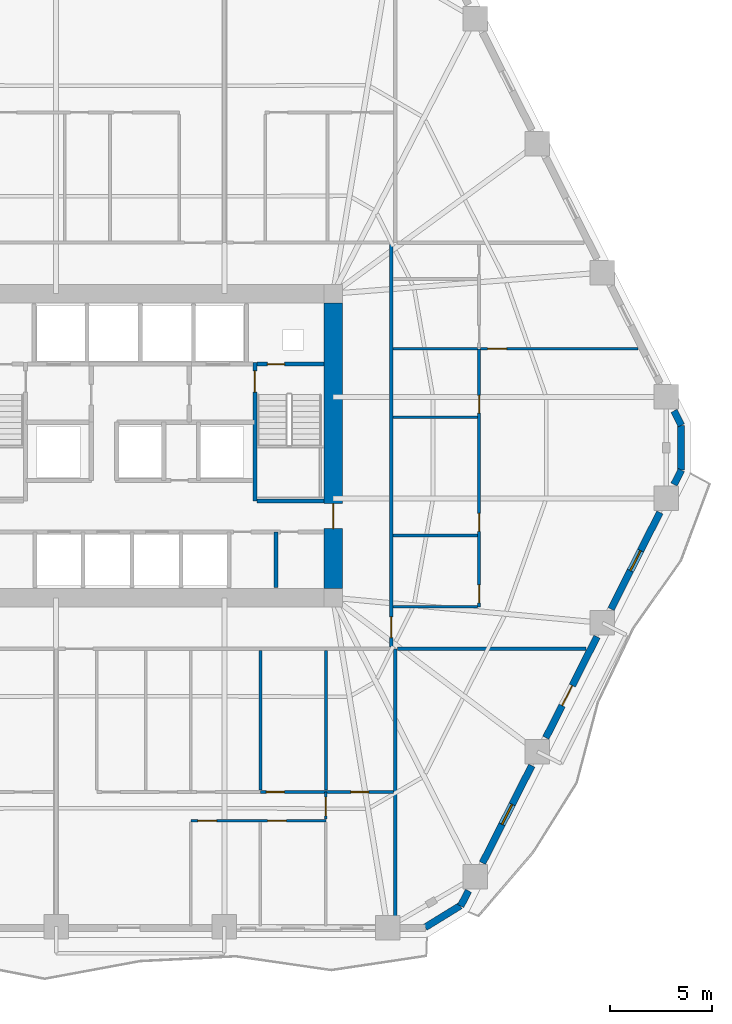
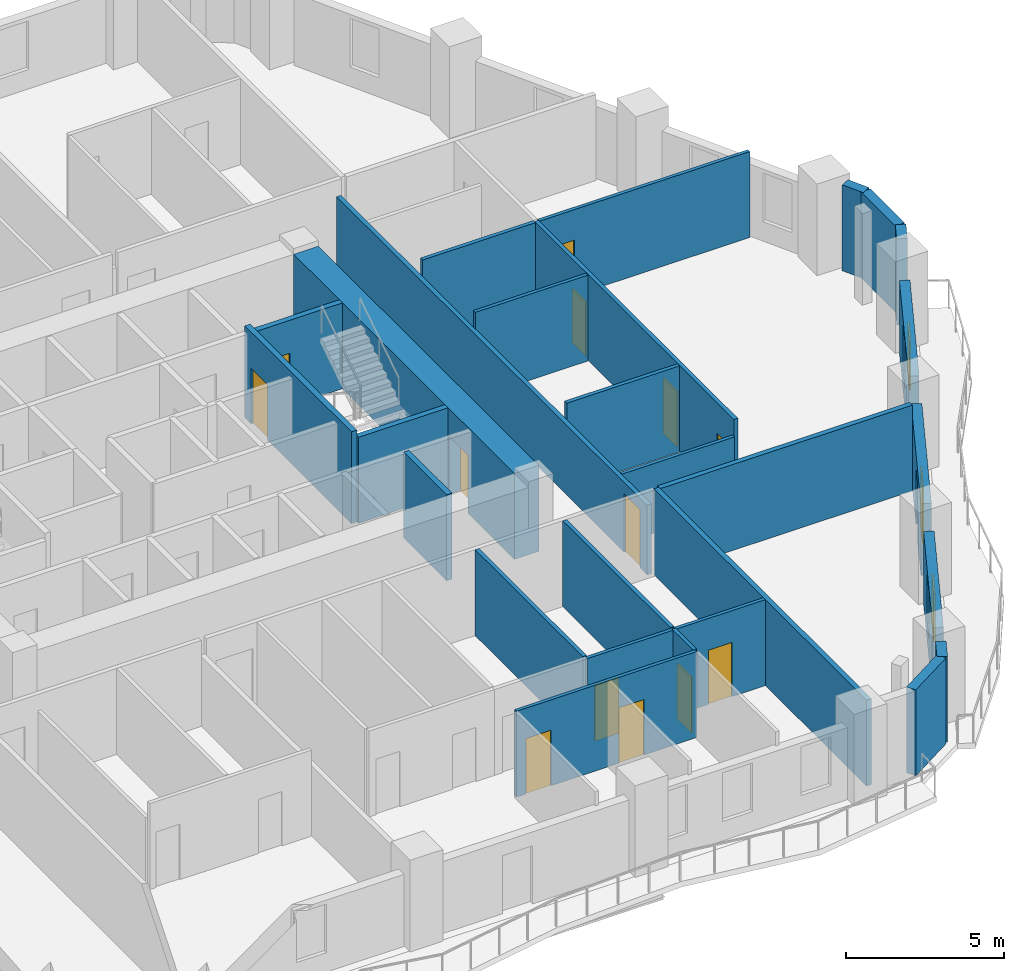
# One storey, part 6 of 12: 27 walls, 14 doors, 2 windows, 16 openings.
"""IFC4 building model written with IfcOpenShell, lengths in metres."""

import ifcopenshell
import ifcopenshell.guid

model = None  # the IFC model being written
_history = None  # IfcOwnerHistory: only IFC2X3 demands one
_inside = {}  # id of a spatial element -> (the spatial element, [elements in it])
_under = {}  # id of a project, library or spatial element -> (it, [spatial elements below it])
_declared = {}  # id of a project -> (the project, [libraries it declares])
_typed = {}  # id of a type object -> (the type object, [elements of that type])
_made_of = {}  # id of a material, layer set ... -> (it, [elements and type objects made of it])


def new_model(schema):
    """Start an empty IFC model of exactly this schema.

    Asked for "IFC4X3", IfcOpenShell would pick the latest addendum, in which some entities
    have other attributes; the version numbers below select the first issue.
    IFC2X3 requires an IfcOwnerHistory on every rooted entity: one is made here for all.
    """
    global model, _history
    if schema == "IFC4X3":
        model = ifcopenshell.file(schema_version=(4, 3, 0, 0))
    else:
        model = ifcopenshell.file(schema=schema)
    _inside.clear()
    _under.clear()
    _declared.clear()
    _typed.clear()
    _made_of.clear()
    _history = None
    if model.schema == "IFC2X3":
        org = make("IfcOrganization", Name="unknown")
        user = make(
            "IfcPersonAndOrganization",
            ThePerson=make("IfcPerson", FamilyName="unknown"),
            TheOrganization=org,
        )
        app = make(
            "IfcApplication",
            ApplicationDeveloper=org,
            Version="unknown",
            ApplicationFullName="unknown",
            ApplicationIdentifier="unknown",
        )
        _history = make(
            "IfcOwnerHistory",
            OwningUser=user,
            OwningApplication=app,
            ChangeAction="ADDED",
            CreationDate=0,
        )
    return model


def make(cls, **values):
    """One entity of the class cls with the attributes given. An attribute that is None is left unset."""
    return model.create_entity(
        cls, **{name: value for name, value in values.items() if value is not None}
    )


def rooted(cls, **values):
    """An entity with a GlobalId (a new one), such as an element, a storey or a relation."""
    return make(cls, GlobalId=ifcopenshell.guid.new(), OwnerHistory=_history, **values)


def si_unit(unit_type, name, prefix=None):
    """IfcSIUnit, for example si_unit("LENGTHUNIT", "METRE", prefix="MILLI")."""
    return make("IfcSIUnit", UnitType=unit_type, Prefix=prefix, Name=name)


def assignment(units):
    """IfcUnitAssignment: the units of a project."""
    return None if units is None else make("IfcUnitAssignment", Units=units)


def point(xyz):
    """IfcCartesianPoint."""
    return None if xyz is None else make("IfcCartesianPoint", Coordinates=xyz)


def direction(xyz):
    """IfcDirection."""
    return None if xyz is None else make("IfcDirection", DirectionRatios=xyz)


def frame(location, z_axis=None, x_axis=None):
    """IfcAxis2Placement3D, a coordinate frame: its origin and axes. An axis left out is left unset."""
    return make(
        "IfcAxis2Placement3D",
        Location=point(location),
        Axis=direction(z_axis),
        RefDirection=direction(x_axis),
    )


def frame_2d(location, x_axis=None):
    """IfcAxis2Placement2D, a coordinate frame in the plane: its origin and x axis."""
    return make(
        "IfcAxis2Placement2D", Location=point(location), RefDirection=direction(x_axis)
    )


def origin():
    """The frame at (0, 0, 0) with its axes left unset."""
    return frame((0.0, 0.0, 0.0))


def place(relative_to, where):
    """IfcLocalPlacement: puts the frame where relative to a parent placement (None: the world)."""
    return make(
        "IfcLocalPlacement", PlacementRelTo=relative_to, RelativePlacement=where
    )


def context(
    kind, dimensions, precision=None, world=None, true_north=None, identifier=None
):
    """IfcGeometricRepresentationContext, for example the 3D "Model" context."""
    return make(
        "IfcGeometricRepresentationContext",
        ContextIdentifier=identifier,
        ContextType=kind,
        CoordinateSpaceDimension=dimensions,
        Precision=precision,
        WorldCoordinateSystem=world,
        TrueNorth=true_north,
    )


def subcontext(parent, identifier, kind, view, scale=None):
    """IfcGeometricRepresentationSubContext, for example "Body" below "Model"."""
    return make(
        "IfcGeometricRepresentationSubContext",
        ContextIdentifier=identifier,
        ContextType=kind,
        ParentContext=parent,
        TargetScale=scale,
        TargetView=view,
    )


def project(units=None, contexts=None):
    """IfcProject with its units and contexts."""
    return rooted(
        "IfcProject",
        Name="project",
        RepresentationContexts=contexts,
        UnitsInContext=assignment(units),
    )


def spatial(cls, under=None, at=None, **own):
    """A site, building, storey or space (cls), placed at a placement, below another one or the project."""
    s = rooted(cls, ObjectPlacement=at, **own)
    if under is not None:
        _under.setdefault(under.id(), (under, []))[1].append(s)
    return s


def profile(cls, at=None, kind="AREA", **sizes):
    """A parametric profile (cls). Its sizes go by their IFC names, for example OverallWidth=200.0."""
    return make(cls, ProfileType=kind, Position=at, **sizes)


def rectangle(**sizes):
    """IfcRectangleProfileDef."""
    return profile("IfcRectangleProfileDef", **sizes)


def extrude(swept, where, along, depth):
    """IfcExtrudedAreaSolid: the profile swept, set in the frame where, extruded along a direction by depth."""
    return make(
        "IfcExtrudedAreaSolid",
        SweptArea=swept,
        Position=where,
        ExtrudedDirection=direction(along),
        Depth=depth,
    )


def shape(context_of_items, identifier, shape_type, items):
    """IfcShapeRepresentation: the items that make up one representation, for example the "Body"."""
    return make(
        "IfcShapeRepresentation",
        ContextOfItems=context_of_items,
        RepresentationIdentifier=identifier,
        RepresentationType=shape_type,
        Items=items,
    )


def material(Name=None, Category=None):
    """IfcMaterial."""
    return make("IfcMaterial", Name=Name, Category=Category)


def layer(
    of_material, thickness, ventilated=None, Name=None, Category=None, Priority=None
):
    """IfcMaterialLayer: one layer of a wall or slab, of a material (None: an air gap)."""
    return make(
        "IfcMaterialLayer",
        Material=of_material,
        LayerThickness=thickness,
        IsVentilated=ventilated,
        Name=Name,
        Category=Category,
        Priority=Priority,
    )


def layer_set(layers, Name=None):
    """IfcMaterialLayerSet."""
    return make("IfcMaterialLayerSet", MaterialLayers=layers, LayerSetName=Name)


def made_of(thing, what):
    """Note that an element or type object is made of a material, layer set ...; save() writes the relation."""
    if what is not None:
        _made_of.setdefault(what.id(), (what, []))[1].append(thing)
    return thing


def type_object(cls, material=None, **own):
    """A type object (cls), such as IfcWallType, which elements share."""
    return made_of(rooted(cls, **own), material)


def element(
    cls,
    number,
    at=None,
    inside=None,
    cuts=None,
    type_object=None,
    material=None,
    context=None,
    identifier="Body",
    shape_type=None,
    held_by="IfcProductDefinitionShape",
    body=None,
    shapes=None,
    **own,
):
    """One element of the class cls, such as IfcWall. Its Tag is "e" and its number.

    at: its placement. inside: the storey or other place that contains it. cuts: it is an
    opening in that element (IfcRelVoidsElement). A single representation is given by context,
    identifier, shape_type and body (its items); several are given by shapes. held_by: the class
    of the entity that holds the representations. save() writes the other relations.
    """
    e = rooted(cls, Tag="e%d" % number, ObjectPlacement=at, **own)
    if body is not None:
        shapes = [shape(context, identifier, shape_type, body)]
    if shapes is not None:
        e.Representation = make(held_by, Representations=shapes)
    if inside is not None:
        _inside.setdefault(inside.id(), (inside, []))[1].append(e)
    if cuts is not None:
        rooted(
            "IfcRelVoidsElement", RelatingBuildingElement=cuts, RelatedOpeningElement=e
        )
    if type_object is not None:
        _typed.setdefault(type_object.id(), (type_object, []))[1].append(e)
    return made_of(e, material)


def fill(opening, filler):
    """IfcRelFillsElement: the door or window that sits in an opening."""
    return rooted(
        "IfcRelFillsElement",
        RelatingOpeningElement=opening,
        RelatedBuildingElement=filler,
    )


def aggregate(whole, parts):
    """IfcRelAggregates: a whole, such as a stair, and the parts it consists of."""
    return rooted("IfcRelAggregates", RelatingObject=whole, RelatedObjects=parts)


def save(model, path):
    """Write the relations noted so far, then the file.

    IfcRelAggregates (storeys below a building ...), IfcRelContainedInSpatialStructure (elements
    in a storey), IfcRelDefinesByType, IfcRelAssociatesMaterial and IfcRelDeclares: one each for
    every whole, place, type object, material and project.
    """
    for whole, parts in _under.values():
        aggregate(whole, parts)
    for where, things in _inside.values():
        rooted(
            "IfcRelContainedInSpatialStructure",
            RelatedElements=things,
            RelatingStructure=where,
        )
    for kind, things in _typed.values():
        rooted("IfcRelDefinesByType", RelatedObjects=things, RelatingType=kind)
    for what, things in _made_of.values():
        rooted("IfcRelAssociatesMaterial", RelatedObjects=things, RelatingMaterial=what)
    for by, libraries in _declared.values():
        rooted("IfcRelDeclares", RelatingContext=by, RelatedDefinitions=libraries)
    model.write(path)


model = new_model("IFC4")

# Units and contexts
model_context = context("Model", 3, precision=1e-05, world=origin(), true_north=direction((0.0, 1.0)))
body_context = subcontext(model_context, "Body", "Model", "MODEL_VIEW")
ifc_project = project(units=[si_unit("LENGTHUNIT", "METRE"), si_unit("AREAUNIT", "SQUARE_METRE"), si_unit("VOLUMEUNIT", "CUBIC_METRE"), si_unit("PLANEANGLEUNIT", "RADIAN"), si_unit("MASSUNIT", "GRAM", prefix="KILO")], contexts=[model_context])

# Site, building, storey
site_placement = place(None, origin())
site = spatial("IfcSite", under=ifc_project, at=site_placement, CompositionType="ELEMENT")
building_placement = place(site_placement, origin())
building = spatial("IfcBuilding", under=site, at=building_placement, Name="Cinnabar Lancet Tower", CompositionType="ELEMENT")
storey_placement = place(building_placement, frame((0.0, 0.0, 28.449951171875)))
storey = spatial("IfcBuildingStorey", under=building, at=storey_placement, Name="L06", CompositionType="ELEMENT", Elevation=28.449951171875)

# Wall, opening, door
ifc_material_1 = material(Name="Acoustic twin-stud gypsum partition", Category="gypsum")
ifc_layer_1 = layer(ifc_material_1, 0.159912109375)
ifc_layer_set_1 = layer_set([ifc_layer_1], Name="Acoustic twin-stud gypsum partition")
wall_type_1 = type_object("IfcWallType", Name="ARC-WL-CORR-160", PredefinedType="PARTITIONING", material=ifc_layer_set_1)
wall_1_placement = place(storey_placement, frame((44.699951171875, 16.044921875, 0.0), z_axis=(0.0, 0.0, 1.0), x_axis=(0.0, 1.0, 0.0)))
wall_1 = element("IfcWall", 1, at=wall_1_placement, inside=storey, type_object=wall_type_1, Name="UW-L06-E01-COR", PredefinedType="PARTITIONING", context=body_context, shape_type="SweptSolid", body=[
    extrude(rectangle(XDim=19.7099609375, YDim=0.159912109375, at=frame_2d((9.85498046875, 0.0))), origin(), (0.0, 0.0, 1.0), 2.699951171875),
])
opening_1_placement = place(wall_1_placement, frame((0.449951171875, 0.0, 0.0)))
opening_1 = element("IfcOpeningElement", 2, at=opening_1_placement, cuts=wall_1, Name="Opening UD-01", PredefinedType="OPENING", context=body_context, shape_type="SweptSolid", body=[
    extrude(rectangle(XDim=1.02001953125, YDim=2.25, at=frame_2d((0.510009765625, 1.125))), frame((0.0, 0.08984375, 0.0), z_axis=(0.0, -1.0, 0.0), x_axis=(1.0, 0.0, 0.0)), (0.0, 0.0, 1.0), 0.179931640625),
])
ifc_material_2 = material(Name="Solid timber fire-rated apartment entrance door", Category="wood")
door_type_1 = type_object("IfcDoorType", Name="ARC-DR-UNIT", OperationType="NOTDEFINED", PredefinedType="DOOR", material=ifc_material_2)
door_1_placement = place(opening_1_placement, origin())
door_1 = element("IfcDoor", 3, at=door_1_placement, inside=storey, type_object=door_type_1, Name="DR-L06-E01-ENT", OperationType="SINGLE_SWING_LEFT", OverallHeight=2.25, OverallWidth=1.02001953125, PredefinedType="DOOR", context=body_context, shape_type="SweptSolid", body=[
    extrude(rectangle(XDim=1.02001953125, YDim=2.25, at=frame_2d((0.510009765625, 1.125))), frame((0.0, 0.02490234375, 0.0), z_axis=(0.0, -1.0, 0.0), x_axis=(1.0, 0.0, 0.0)), (0.0, 0.0, 1.0), 0.050048828125),
])
fill(opening_1, door_1)

# Walls
ifc_material_3 = material(Name="Fire-rated twin-frame acoustic drywall", Category="gypsum")
ifc_layer_2 = layer(ifc_material_3, 0.179931640625)
ifc_layer_set_2 = layer_set([ifc_layer_2], Name="Fire-rated twin-frame acoustic drywall")
wall_type_2 = type_object("IfcWallType", Name="ARC-WL-PARTY-180", PredefinedType="PARTITIONING", material=ifc_layer_set_2)
wall_2_placement = place(storey_placement, frame((44.89990234375, 2.455078125, 0.0), z_axis=(0.0, 0.0, 1.0), x_axis=(0.0, 1.0, 0.0)))
element("IfcWall", 4, at=wall_2_placement, inside=storey, type_object=wall_type_2, Name="PW-L06-SPTY-449", PredefinedType="PARTITIONING", context=body_context, shape_type="SweptSolid", body=[
    extrude(rectangle(XDim=13.494873046875, YDim=0.179931640625, at=frame_2d((6.74755859375, 0.0))), origin(), (0.0, 0.0, 1.0), 3.330078125),
])
wall_3_placement = place(storey_placement, frame((44.9951171875, 15.949951171875, 0.0), z_axis=(0.0, 0.0, 1.0), x_axis=(1.0, 0.0, 0.0)))
element("IfcWall", 5, at=wall_3_placement, inside=storey, type_object=wall_type_2, Name="PW-L06-ESB", PredefinedType="PARTITIONING", context=body_context, shape_type="SweptSolid", body=[
    extrude(rectangle(XDim=9.240966796875, YDim=0.179931640625, at=frame_2d((4.62060546875, 0.0))), origin(), (0.0, 0.0, 1.0), 3.330078125),
])
ifc_material_4 = material(Name="Autoclaved aerated concrete blockwork", Category="masonry")
ifc_layer_3 = layer(ifc_material_4, 0.199951171875)
ifc_layer_set_3 = layer_set([ifc_layer_3], Name="Autoclaved aerated concrete blockwork")
wall_type_3 = type_object("IfcWallType", Name="ARC-WL-SHAFT-200", PredefinedType="PLUMBINGWALL", material=ifc_layer_set_3)
wall_4_placement = place(storey_placement, frame((38.125, 23.199951171875, 0.0), z_axis=(0.0, 0.0, 1.0), x_axis=(1.0, 0.0, 0.0)))
element("IfcWall", 6, at=wall_4_placement, inside=storey, type_object=wall_type_3, Name="CW-ST2S-L06", PredefinedType="PLUMBINGWALL", context=body_context, shape_type="SweptSolid", body=[
    extrude(rectangle(XDim=3.27001953125, YDim=0.199951171875, at=frame_2d((1.635009765625, 0.0))), origin(), (0.0, 0.0, 1.0), 3.330078125),
])

# Wall, opening, door
wall_5_placement = place(storey_placement, frame((38.125, 29.89990234375, 0.0), z_axis=(0.0, 0.0, 1.0), x_axis=(1.0, 0.0, 0.0)))
wall_5 = element("IfcWall", 7, at=wall_5_placement, inside=storey, type_object=wall_type_3, Name="CW-NSH-E-L06", PredefinedType="PLUMBINGWALL", context=body_context, shape_type="SweptSolid", body=[
    extrude(rectangle(XDim=3.27001953125, YDim=0.199951171875, at=frame_2d((1.635009765625, 0.0))), origin(), (0.0, 0.0, 1.0), 3.330078125),
])
opening_2_placement = place(wall_5_placement, frame((0.5, 0.0, 0.0)))
opening_2 = element("IfcOpeningElement", 8, at=opening_2_placement, cuts=wall_5, Name="Opening PD-02", PredefinedType="OPENING", context=body_context, shape_type="SweptSolid", body=[
    extrude(rectangle(XDim=0.85009765625, YDim=2.050048828125, at=frame_2d((0.425048828125, 1.02490234375))), frame((0.0, 0.10986328125, 0.0), z_axis=(0.0, -1.0, 0.0), x_axis=(1.0, 0.0, 0.0)), (0.0, 0.0, 1.0), 0.219970703125),
])
ifc_material_5 = material(Name="Fire-rated steel riser access door", Category="steel")
door_type_2 = type_object("IfcDoorType", Name="ARC-DR-RISER", OperationType="NOTDEFINED", PredefinedType="DOOR", material=ifc_material_5)
door_2_placement = place(opening_2_placement, origin())
door_2 = element("IfcDoor", 9, at=door_2_placement, inside=storey, type_object=door_type_2, Name="L06 East Riser Access Door", OperationType="SINGLE_SWING_RIGHT", OverallHeight=2.050048828125, OverallWidth=0.85009765625, PredefinedType="DOOR", context=body_context, shape_type="SweptSolid", body=[
    extrude(rectangle(XDim=0.85009765625, YDim=2.050048828125, at=frame_2d((0.425048828125, 1.02490234375))), frame((0.0, 0.02490234375, 0.0), z_axis=(0.0, -1.0, 0.0), x_axis=(1.0, 0.0, 0.0)), (0.0, 0.0, 1.0), 0.050048828125),
])
fill(opening_2, door_2)

# Wall
wall_6_placement = place(storey_placement, frame((39.050048828125, 18.949951171875, 0.0), z_axis=(0.0, 0.0, 1.0), x_axis=(0.0, 1.0, 0.0)))
element("IfcWall", 10, at=wall_6_placement, inside=storey, type_object=wall_type_3, Name="CW-SB-SE-L06", PredefinedType="PLUMBINGWALL", context=body_context, shape_type="SweptSolid", body=[
    extrude(rectangle(XDim=2.72998046875, YDim=0.199951171875, at=frame_2d((1.364990234375, 0.0))), origin(), (0.0, 0.0, 1.0), 3.330078125),
])

# Wall, openings, doors
ifc_material_6 = material(Name="Gypsum plasterboard stud partition", Category="gypsum")
ifc_layer_4 = layer(ifc_material_6, 0.125)
ifc_layer_set_4 = layer_set([ifc_layer_4], Name="Gypsum plasterboard stud partition")
wall_type_4 = type_object("IfcWallType", Name="ARC-WL-UNIT-125", PredefinedType="PARTITIONING", material=ifc_layer_set_4)
wall_7_placement = place(storey_placement, frame((38.284912109375, 8.93310546875, 0.0), z_axis=(0.0, 0.0, 1.0), x_axis=(1.0, 0.0, 0.0)))
wall_7 = element("IfcWall", 11, at=wall_7_placement, inside=storey, type_object=wall_type_4, Name="UW-L06-S02-SP2", PredefinedType="PARTITIONING", context=body_context, shape_type="SweptSolid", body=[
    extrude(rectangle(XDim=6.52001953125, YDim=0.125, at=frame_2d((3.260009765625, 0.0))), origin(), (0.0, 0.0, 1.0), 3.330078125),
])
opening_3_placement = place(wall_7_placement, frame((4.43896484375, 0.0, 0.0)))
opening_3 = element("IfcOpeningElement", 12, at=opening_3_placement, cuts=wall_7, Name="Opening BD-01", PredefinedType="OPENING", context=body_context, shape_type="SweptSolid", body=[
    extrude(rectangle(XDim=0.860107421875, YDim=2.10009765625, at=frame_2d((0.43017578125, 1.050048828125))), frame((0.0, 0.072509765625, 0.0), z_axis=(0.0, -1.0, 0.0), x_axis=(1.0, 0.0, 0.0)), (0.0, 0.0, 1.0), 0.14501953125),
])
opening_4_placement = place(wall_7_placement, frame((0.300048828125, 0.0, 0.0)))
opening_4 = element("IfcOpeningElement", 13, at=opening_4_placement, cuts=wall_7, Name="Opening RD-02", PredefinedType="OPENING", context=body_context, shape_type="SweptSolid", body=[
    extrude(rectangle(XDim=0.8798828125, YDim=2.14990234375, at=frame_2d((0.43994140625, 1.074951171875))), frame((0.0, 0.072509765625, 0.0), z_axis=(0.0, -1.0, 0.0), x_axis=(1.0, 0.0, 0.0)), (0.0, 0.0, 1.0), 0.14501953125),
])
ifc_material_7 = material(Name="Moisture-resistant timber bathroom door", Category="wood")
door_type_3 = type_object("IfcDoorType", Name="ARC-DR-BATH", OperationType="NOTDEFINED", PredefinedType="DOOR", material=ifc_material_7)
door_3_placement = place(opening_3_placement, origin())
door_3 = element("IfcDoor", 14, at=door_3_placement, inside=storey, type_object=door_type_3, Name="DR-L06-S02-ENS", OperationType="SINGLE_SWING_RIGHT", OverallHeight=2.10009765625, OverallWidth=0.860107421875, PredefinedType="DOOR", context=body_context, shape_type="SweptSolid", body=[
    extrude(rectangle(XDim=0.860107421875, YDim=2.10009765625, at=frame_2d((0.43017578125, 1.050048828125))), frame((0.0, 0.02490234375, 0.0), z_axis=(0.0, -1.0, 0.0), x_axis=(1.0, 0.0, 0.0)), (0.0, 0.0, 1.0), 0.050048828125),
])
fill(opening_3, door_3)
ifc_material_8 = material(Name="Engineered timber study door", Category="wood")
door_type_4 = type_object("IfcDoorType", Name="ARC-DR-STUDY", OperationType="NOTDEFINED", PredefinedType="DOOR", material=ifc_material_8)
door_4_placement = place(opening_4_placement, origin())
door_4 = element("IfcDoor", 15, at=door_4_placement, inside=storey, type_object=door_type_4, Name="DR-L06-S02-DRS", OperationType="SINGLE_SWING_LEFT", OverallHeight=2.14990234375, OverallWidth=0.8798828125, PredefinedType="DOOR", context=body_context, shape_type="SweptSolid", body=[
    extrude(rectangle(XDim=0.8798828125, YDim=2.14990234375, at=frame_2d((0.43994140625, 1.074951171875))), frame((0.0, 0.02490234375, 0.0), z_axis=(0.0, -1.0, 0.0), x_axis=(1.0, 0.0, 0.0)), (0.0, 0.0, 1.0), 0.050048828125),
])
fill(opening_4, door_4)

wall_8_placement = place(storey_placement, frame((34.8779296875, 7.532958984375, 0.0), z_axis=(0.0, 0.0, 1.0), x_axis=(1.0, 0.0, 0.0)))
wall_8 = element("IfcWall", 16, at=wall_8_placement, inside=storey, type_object=wall_type_4, Name="UW-L06-S02-HLN", PredefinedType="PARTITIONING", context=body_context, shape_type="SweptSolid", body=[
    extrude(rectangle(XDim=6.614990234375, YDim=0.125, at=frame_2d((3.3076171875, 0.0))), origin(), (0.0, 0.0, 1.0), 3.330078125),
])
opening_5_placement = place(wall_8_placement, frame((0.35009765625, 0.0, 0.0)))
opening_5 = element("IfcOpeningElement", 17, at=opening_5_placement, cuts=wall_8, Name="Opening RD-01", PredefinedType="OPENING", context=body_context, shape_type="SweptSolid", body=[
    extrude(rectangle(XDim=0.919921875, YDim=2.14990234375, at=frame_2d((0.4599609375, 1.074951171875))), frame((0.0, 0.072509765625, 0.0), z_axis=(0.0, -1.0, 0.0), x_axis=(1.0, 0.0, 0.0)), (0.0, 0.0, 1.0), 0.14501953125),
])
opening_6_placement = place(wall_8_placement, frame((3.757080078125, 0.0, 0.0)))
opening_6 = element("IfcOpeningElement", 18, at=opening_6_placement, cuts=wall_8, Name="Opening RD-01", PredefinedType="OPENING", context=body_context, shape_type="SweptSolid", body=[
    extrude(rectangle(XDim=0.919921875, YDim=2.14990234375, at=frame_2d((0.4599609375, 1.074951171875))), frame((0.0, 0.072509765625, 0.0), z_axis=(0.0, -1.0, 0.0), x_axis=(1.0, 0.0, 0.0)), (0.0, 0.0, 1.0), 0.14501953125),
])
ifc_material_9 = material(Name="Engineered timber bedroom door", Category="wood")
door_type_5 = type_object("IfcDoorType", Name="ARC-DR-ROOM", OperationType="NOTDEFINED", PredefinedType="DOOR", material=ifc_material_9)
door_5_placement = place(opening_5_placement, origin())
door_5 = element("IfcDoor", 19, at=door_5_placement, inside=storey, type_object=door_type_5, Name="DR-L06-S02-BD2", OperationType="SINGLE_SWING_RIGHT", OverallHeight=2.14990234375, OverallWidth=0.919921875, PredefinedType="DOOR", context=body_context, shape_type="SweptSolid", body=[
    extrude(rectangle(XDim=0.919921875, YDim=2.14990234375, at=frame_2d((0.4599609375, 1.074951171875))), frame((0.0, 0.02490234375, 0.0), z_axis=(0.0, -1.0, 0.0), x_axis=(1.0, 0.0, 0.0)), (0.0, 0.0, 1.0), 0.050048828125),
])
fill(opening_5, door_5)
door_6_placement = place(opening_6_placement, origin())
door_6 = element("IfcDoor", 20, at=door_6_placement, inside=storey, type_object=door_type_5, Name="DR-L06-S02-BD3", OperationType="SINGLE_SWING_LEFT", OverallHeight=2.14990234375, OverallWidth=0.919921875, PredefinedType="DOOR", context=body_context, shape_type="SweptSolid", body=[
    extrude(rectangle(XDim=0.919921875, YDim=2.14990234375, at=frame_2d((0.4599609375, 1.074951171875))), frame((0.0, 0.02490234375, 0.0), z_axis=(0.0, -1.0, 0.0), x_axis=(1.0, 0.0, 0.0)), (0.0, 0.0, 1.0), 0.050048828125),
])
fill(opening_6, door_6)

# Wall, opening, door
wall_9_placement = place(storey_placement, frame((41.492919921875, 7.60302734375, 0.0), z_axis=(0.0, 0.0, 1.0), x_axis=(0.0, 1.0, 0.0)))
wall_9 = element("IfcWall", 21, at=wall_9_placement, inside=storey, type_object=wall_type_4, Name="UW-L06-S02-MBE", PredefinedType="PARTITIONING", context=body_context, shape_type="SweptSolid", body=[
    extrude(rectangle(XDim=1.330078125, YDim=0.125, at=frame_2d((0.6650390625, 0.0))), origin(), (0.0, 0.0, 1.0), 3.330078125),
])
opening_7_placement = place(wall_9_placement, frame((0.159912109375, 0.0, 0.0)))
opening_7 = element("IfcOpeningElement", 22, at=opening_7_placement, cuts=wall_9, Name="Opening RD-01", PredefinedType="OPENING", context=body_context, shape_type="SweptSolid", body=[
    extrude(rectangle(XDim=0.919921875, YDim=2.14990234375, at=frame_2d((0.4599609375, 1.074951171875))), frame((0.0, 0.072509765625, 0.0), z_axis=(0.0, -1.0, 0.0), x_axis=(1.0, 0.0, 0.0)), (0.0, 0.0, 1.0), 0.14501953125),
])
door_7_placement = place(opening_7_placement, origin())
door_7 = element("IfcDoor", 23, at=door_7_placement, inside=storey, type_object=door_type_5, Name="DR-L06-S02-MBD", OperationType="SINGLE_SWING_RIGHT", OverallHeight=2.14990234375, OverallWidth=0.919921875, PredefinedType="DOOR", context=body_context, shape_type="SweptSolid", body=[
    extrude(rectangle(XDim=0.919921875, YDim=2.14990234375, at=frame_2d((0.4599609375, 1.074951171875))), frame((0.0, 0.02490234375, 0.0), z_axis=(0.0, -1.0, 0.0), x_axis=(1.0, 0.0, 0.0)), (0.0, 0.0, 1.0), 0.050048828125),
])
fill(opening_7, door_7)

# Wall
wall_10_placement = place(storey_placement, frame((44.784912109375, 18.0, 0.0), z_axis=(0.0, 0.0, 1.0), x_axis=(1.0, 0.0, 0.0)))
element("IfcWall", 24, at=wall_10_placement, inside=storey, type_object=wall_type_4, Name="UW-L06-E01-FOYN", PredefinedType="PARTITIONING", context=body_context, shape_type="SweptSolid", body=[
    extrude(rectangle(XDim=4.130126953125, YDim=0.125, at=frame_2d((2.06494140625, 0.0))), origin(), (0.0, 0.0, 1.0), 2.699951171875),
])

# Wall, opening, door
wall_11_placement = place(storey_placement, frame((49.074951171875, 30.64892578125, 0.0), z_axis=(0.0, 0.0, 1.0), x_axis=(1.0, 0.0, 0.0)))
wall_11 = element("IfcWall", 25, at=wall_11_placement, inside=storey, type_object=wall_type_4, Name="UW-L06-E01-MBN", PredefinedType="PARTITIONING", context=body_context, shape_type="SweptSolid", body=[
    extrude(rectangle(XDim=7.70703125, YDim=0.125, at=frame_2d((3.853515625, 0.0))), origin(), (0.0, 0.0, 1.0), 3.330078125),
])
opening_8_placement = place(wall_11_placement, frame((0.35009765625, 0.0, 0.0)))
opening_8 = element("IfcOpeningElement", 26, at=opening_8_placement, cuts=wall_11, Name="Opening RD-01", PredefinedType="OPENING", context=body_context, shape_type="SweptSolid", body=[
    extrude(rectangle(XDim=0.919921875, YDim=2.14990234375, at=frame_2d((0.4599609375, 1.074951171875))), frame((0.0, 0.072509765625, 0.0), z_axis=(0.0, -1.0, 0.0), x_axis=(1.0, 0.0, 0.0)), (0.0, 0.0, 1.0), 0.14501953125),
])
door_8_placement = place(opening_8_placement, origin())
door_8 = element("IfcDoor", 27, at=door_8_placement, inside=storey, type_object=door_type_5, Name="DR-L06-E01-MBD", OperationType="SINGLE_SWING_LEFT", OverallHeight=2.14990234375, OverallWidth=0.919921875, PredefinedType="DOOR", context=body_context, shape_type="SweptSolid", body=[
    extrude(rectangle(XDim=0.919921875, YDim=2.14990234375, at=frame_2d((0.4599609375, 1.074951171875))), frame((0.0, 0.02490234375, 0.0), z_axis=(0.0, -1.0, 0.0), x_axis=(1.0, 0.0, 0.0)), (0.0, 0.0, 1.0), 0.050048828125),
])
fill(opening_8, door_8)

# Walls
wall_12_placement = place(storey_placement, frame((44.784912109375, 27.299072265625, 0.0), z_axis=(0.0, 0.0, 1.0), x_axis=(1.0, 0.0, 0.0)))
element("IfcWall", 28, at=wall_12_placement, inside=storey, type_object=wall_type_4, Name="UW-L06-E01-UDV", PredefinedType="PARTITIONING", context=body_context, shape_type="SweptSolid", body=[
    extrude(rectangle(XDim=4.130126953125, YDim=0.125, at=frame_2d((2.06494140625, 0.0))), origin(), (0.0, 0.0, 1.0), 3.330078125),
])
ifc_material_10 = material(Name="Moisture-resistant cement-board plumbing wall", Category="masonry")
ifc_layer_5 = layer(ifc_material_10, 0.139892578125)
ifc_layer_set_5 = layer_set([ifc_layer_5], Name="Moisture-resistant cement-board plumbing wall")
wall_type_5 = type_object("IfcWallType", Name="ARC-WL-WET-140", PredefinedType="PLUMBINGWALL", material=ifc_layer_set_5)
for number, where, z_axis, x_axis, name in (
    (29, (38.284912109375, 9.0380859375, 0.0), (0.0, 0.0, 1.0), (0.0, 1.0, 0.0), "UW-L06-S02-ENSE"),
    (30, (41.492919921875, 9.0380859375, 0.0), (0.0, 0.0, 1.0), (0.0, 1.0, 0.0), "UW-L06-S02-UT3"),
):
    element("IfcWall", number, at=place(storey_placement, frame(where, z_axis=z_axis, x_axis=x_axis)), inside=storey, type_object=wall_type_5, Name=name, PredefinedType="PLUMBINGWALL", context=body_context, shape_type="SweptSolid", body=[
        extrude(rectangle(XDim=6.826904296875, YDim=0.139892578125, at=frame_2d((3.41357421875, 0.0))), origin(), (0.0, 0.0, 1.0), 3.330078125),
    ])

# Wall, openings, doors
wall_13_placement = place(storey_placement, frame((49.0, 18.0, 0.0), z_axis=(0.0, 0.0, 1.0), x_axis=(0.0, 1.0, 0.0)))
wall_13 = element("IfcWall", 31, at=wall_13_placement, inside=storey, type_object=wall_type_5, Name="UW-L06-E01-SPL", PredefinedType="PLUMBINGWALL", context=body_context, shape_type="SweptSolid", body=[
    extrude(rectangle(XDim=12.64892578125, YDim=0.139892578125, at=frame_2d((6.324462890625, 0.0))), origin(), (0.0, 0.0, 1.0), 3.330078125),
])
opening_9_placement = place(wall_13_placement, frame((0.199951171875, 0.0, 0.0)))
opening_9 = element("IfcOpeningElement", 32, at=opening_9_placement, cuts=wall_13, Name="Opening RD-02", PredefinedType="OPENING", context=body_context, shape_type="SweptSolid", body=[
    extrude(rectangle(XDim=0.8798828125, YDim=2.14990234375, at=frame_2d((0.43994140625, 1.074951171875))), frame((0.0, 0.079833984375, 0.0), z_axis=(0.0, -1.0, 0.0), x_axis=(1.0, 0.0, 0.0)), (0.0, 0.0, 1.0), 0.159912109375),
])
opening_10_placement = place(wall_13_placement, frame((3.699951171875, 0.0, 0.0)))
opening_10 = element("IfcOpeningElement", 33, at=opening_10_placement, cuts=wall_13, Name="Opening RD-02", PredefinedType="OPENING", context=body_context, shape_type="SweptSolid", body=[
    extrude(rectangle(XDim=0.8798828125, YDim=2.14990234375, at=frame_2d((0.43994140625, 1.074951171875))), frame((0.0, 0.079833984375, 0.0), z_axis=(0.0, -1.0, 0.0), x_axis=(1.0, 0.0, 0.0)), (0.0, 0.0, 1.0), 0.159912109375),
])
opening_11_placement = place(wall_13_placement, frame((9.4990234375, 0.0, 0.0)))
opening_11 = element("IfcOpeningElement", 34, at=opening_11_placement, cuts=wall_13, Name="Opening BD-01", PredefinedType="OPENING", context=body_context, shape_type="SweptSolid", body=[
    extrude(rectangle(XDim=0.860107421875, YDim=2.10009765625, at=frame_2d((0.43017578125, 1.050048828125))), frame((0.0, 0.079833984375, 0.0), z_axis=(0.0, -1.0, 0.0), x_axis=(1.0, 0.0, 0.0)), (0.0, 0.0, 1.0), 0.159912109375),
])
door_9_placement = place(opening_11_placement, origin())
door_9 = element("IfcDoor", 35, at=door_9_placement, inside=storey, type_object=door_type_3, Name="DR-L06-E01-BTH", OperationType="SINGLE_SWING_RIGHT", OverallHeight=2.10009765625, OverallWidth=0.860107421875, PredefinedType="DOOR", context=body_context, shape_type="SweptSolid", body=[
    extrude(rectangle(XDim=0.860107421875, YDim=2.10009765625, at=frame_2d((0.43017578125, 1.050048828125))), frame((0.0, 0.02490234375, 0.0), z_axis=(0.0, -1.0, 0.0), x_axis=(1.0, 0.0, 0.0)), (0.0, 0.0, 1.0), 0.050048828125),
])
fill(opening_11, door_9)
door_10_placement = place(opening_9_placement, origin())
door_10 = element("IfcDoor", 36, at=door_10_placement, inside=storey, type_object=door_type_4, Name="DR-L06-E01-KIT", OperationType="SINGLE_SWING_RIGHT", OverallHeight=2.14990234375, OverallWidth=0.8798828125, PredefinedType="DOOR", context=body_context, shape_type="SweptSolid", body=[
    extrude(rectangle(XDim=0.8798828125, YDim=2.14990234375, at=frame_2d((0.43994140625, 1.074951171875))), frame((0.0, 0.02490234375, 0.0), z_axis=(0.0, -1.0, 0.0), x_axis=(1.0, 0.0, 0.0)), (0.0, 0.0, 1.0), 0.050048828125),
])
fill(opening_9, door_10)
door_11_placement = place(opening_10_placement, origin())
door_11 = element("IfcDoor", 37, at=door_11_placement, inside=storey, type_object=door_type_4, Name="DR-L06-E01-UTL", OperationType="SINGLE_SWING_LEFT", OverallHeight=2.14990234375, OverallWidth=0.8798828125, PredefinedType="DOOR", context=body_context, shape_type="SweptSolid", body=[
    extrude(rectangle(XDim=0.8798828125, YDim=2.14990234375, at=frame_2d((0.43994140625, 1.074951171875))), frame((0.0, 0.02490234375, 0.0), z_axis=(0.0, -1.0, 0.0), x_axis=(1.0, 0.0, 0.0)), (0.0, 0.0, 1.0), 0.050048828125),
])
fill(opening_10, door_11)

# Walls
for number, where, z_axis, x_axis, name in (
    (38, (44.784912109375, 30.64892578125, 0.0), (0.0, 0.0, 1.0), (1.0, 0.0, 0.0), "UW-L06-E01-ENSN"),
    (39, (44.784912109375, 21.5, 0.0), (0.0, 0.0, 1.0), (1.0, 0.0, 0.0), "UW-L06-E01-KDV"),
):
    element("IfcWall", number, at=place(storey_placement, frame(where, z_axis=z_axis, x_axis=x_axis)), inside=storey, type_object=wall_type_5, Name=name, PredefinedType="PLUMBINGWALL", context=body_context, shape_type="SweptSolid", body=[
        extrude(rectangle(XDim=4.130126953125, YDim=0.139892578125, at=frame_2d((2.06494140625, 0.0))), origin(), (0.0, 0.0, 1.0), 3.330078125),
    ])
ifc_material_11 = material(Name="Cinnabar red clay brick", Category="masonry")
ifc_layer_6 = layer(ifc_material_11, 0.340087890625)
ifc_layer_set_6 = layer_set([ifc_layer_6], Name="Cinnabar red clay brick")
wall_type_6 = type_object("IfcWallType", Name="ENV-WL-BRK-RED-340", PredefinedType="STANDARD", material=ifc_layer_set_6)
wall_14_placement = place(storey_placement, frame((46.361083984375, 2.304931640625, 0.0), z_axis=(0.0, 0.0, 1.0), x_axis=(0.851816122478, 0.523840904748, 0.0)))
element("IfcWall", 40, at=wall_14_placement, inside=storey, type_object=wall_type_6, Name="L06 Chamfered Corner Brick Pier 2.1", PredefinedType="STANDARD", context=body_context, shape_type="SweptSolid", body=[
    extrude(rectangle(XDim=2.01806640625, YDim=0.340087890625, at=frame_2d((1.009033203125, 0.0))), origin(), (0.0, 0.0, 1.0), 3.330078125),
])
wall_15_placement = place(storey_placement, frame((58.887939453125, 24.714111328125, 0.0), z_axis=(0.0, 0.0, 1.0), x_axis=(0.0, 1.0, 0.0)))
element("IfcWall", 41, at=wall_15_placement, inside=storey, type_object=wall_type_6, Name="L06 Chamfered Corner Brick Pier 3.1", PredefinedType="STANDARD", context=body_context, shape_type="SweptSolid", body=[
    extrude(rectangle(XDim=2.171875, YDim=0.340087890625, at=frame_2d((1.0859375, 0.0))), origin(), (0.0, 0.0, 1.0), 3.330078125),
])
wall_16_placement = place(storey_placement, frame((48.10009765625, 3.345947265625, 0.0), z_axis=(0.0, 0.0, 1.0), x_axis=(0.45187807258, 0.892079709175, 0.0)))
element("IfcWall", 42, at=wall_16_placement, inside=storey, type_object=wall_type_6, Name="L06 Face 2 Masonry Bay Wall 1", PredefinedType="STANDARD", context=body_context, shape_type="SweptSolid", body=[
    extrude(rectangle(XDim=0.83642578125, YDim=0.340087890625, at=frame_2d((0.418212890625, 0.0))), origin(), (0.0, 0.0, 1.0), 3.330078125),
])

# Wall, opening, window
wall_17_placement = place(storey_placement, frame((49.166015625, 5.4541015625, 0.0), z_axis=(0.0, 0.0, 1.0), x_axis=(0.451697561555, 0.892171123095, 0.0)))
wall_17 = element("IfcWall", 43, at=wall_17_placement, inside=storey, type_object=wall_type_6, Name="L06 Face 2 Masonry Bay Wall 2", PredefinedType="STANDARD", context=body_context, shape_type="SweptSolid", body=[
    extrude(rectangle(XDim=5.350830078125, YDim=0.340087890625, at=frame_2d((2.67529296875, 0.0))), origin(), (0.0, 0.0, 1.0), 2.787109375),
])
opening_12_placement = place(wall_17_placement, frame((2.125, 0.0, 0.75)))
opening_12 = element("IfcOpeningElement", 44, at=opening_12_placement, cuts=wall_17, Name="Opening WN-04", PredefinedType="OPENING", context=body_context, shape_type="SweptSolid", body=[
    extrude(rectangle(XDim=1.10009765625, YDim=1.886962890625, at=frame_2d((0.550048828125, 0.943359375))), frame((0.0, 0.179931640625, 0.0), z_axis=(0.0, -1.0, 0.0), x_axis=(1.0, 0.0, 0.0)), (0.0, 0.0, 1.0), 0.360107421875),
])
ifc_material_12 = material(Name="Thermally broken bronze-anodized aluminium tall lancet window", Category="aluminium")
window_type = type_object("IfcWindowType", Name="ENV-WN-LANCET-1100", PartitioningType="SINGLE_PANEL", PredefinedType="WINDOW", material=ifc_material_12)
window_1_placement = place(opening_12_placement, origin())
window_1 = element("IfcWindow", 45, at=window_1_placement, inside=storey, type_object=window_type, Name="L06 Face 2 Gothic Lancet Window 2", OverallHeight=1.886962890625, OverallWidth=1.10009765625, PartitioningType="SINGLE_PANEL", PredefinedType="WINDOW", context=body_context, shape_type="SweptSolid", body=[
    extrude(rectangle(XDim=1.10009765625, YDim=1.886962890625, at=frame_2d((0.550048828125, 0.943359375))), frame((0.0, 0.030029296875, 0.0), z_axis=(0.0, -1.0, 0.0), x_axis=(1.0, 0.0, 0.0)), (0.0, 0.0, 1.0), 0.06005859375),
])
fill(opening_12, window_1)

# Wall, opening, door
wall_18_placement = place(storey_placement, frame((52.27099609375, 11.590087890625, 0.0), z_axis=(0.0, 0.0, 1.0), x_axis=(0.451592100298, 0.892224509273, 0.0)))
wall_18 = element("IfcWall", 46, at=wall_18_placement, inside=storey, type_object=wall_type_6, Name="L06 Face 2 Masonry Bay Wall 3", PredefinedType="STANDARD", context=body_context, shape_type="SweptSolid", body=[
    extrude(rectangle(XDim=5.546875, YDim=0.340087890625, at=frame_2d((2.7734375, 0.0))), origin(), (0.0, 0.0, 1.0), 2.787109375),
])
opening_13_placement = place(wall_18_placement, frame((1.76806640625, 0.0, 0.0)))
opening_13 = element("IfcOpeningElement", 47, at=opening_13_placement, cuts=wall_18, Name="Opening TD-01", PredefinedType="OPENING", context=body_context, shape_type="SweptSolid", body=[
    extrude(rectangle(XDim=1.10009765625, YDim=2.25, at=frame_2d((0.550048828125, 1.125))), frame((0.0, 0.179931640625, 0.0), z_axis=(0.0, -1.0, 0.0), x_axis=(1.0, 0.0, 0.0)), (0.0, 0.0, 1.0), 0.360107421875),
])
ifc_material_13 = material(Name="Thermally broken low-E glazed balcony terrace door", Category="wood")
door_type_6 = type_object("IfcDoorType", Name="ARC-DR-BALC", OperationType="NOTDEFINED", PredefinedType="DOOR", material=ifc_material_13)
door_12_placement = place(opening_13_placement, origin())
door_12 = element("IfcDoor", 48, at=door_12_placement, inside=storey, type_object=door_type_6, Name="L06 Face 2 Glazed Terrace Door", OperationType="SINGLE_SWING_LEFT", OverallHeight=2.25, OverallWidth=1.10009765625, PredefinedType="DOOR", context=body_context, shape_type="SweptSolid", body=[
    extrude(rectangle(XDim=1.10009765625, YDim=2.25, at=frame_2d((0.550048828125, 1.125))), frame((0.0, 0.02490234375, 0.0), z_axis=(0.0, -1.0, 0.0), x_axis=(1.0, 0.0, 0.0)), (0.0, 0.0, 1.0), 0.050048828125),
])
fill(opening_13, door_12)

# Wall, opening, window
wall_19_placement = place(storey_placement, frame((55.465087890625, 17.90087890625, 0.0), z_axis=(0.0, 0.0, 1.0), x_axis=(0.451572088722, 0.892234637686, 0.0)))
wall_19 = element("IfcWall", 49, at=wall_19_placement, inside=storey, type_object=wall_type_6, Name="L06 Face 2 Masonry Bay Wall 4", PredefinedType="STANDARD", context=body_context, shape_type="SweptSolid", body=[
    extrude(rectangle(XDim=5.3037109375, YDim=0.340087890625, at=frame_2d((2.65185546875, 0.0))), origin(), (0.0, 0.0, 1.0), 2.787109375),
])
opening_14_placement = place(wall_19_placement, frame((2.10205078125, 0.0, 0.75)))
opening_14 = element("IfcOpeningElement", 50, at=opening_14_placement, cuts=wall_19, Name="Opening WN-04", PredefinedType="OPENING", context=body_context, shape_type="SweptSolid", body=[
    extrude(rectangle(XDim=1.10009765625, YDim=1.886962890625, at=frame_2d((0.550048828125, 0.943359375))), frame((0.0, 0.179931640625, 0.0), z_axis=(0.0, -1.0, 0.0), x_axis=(1.0, 0.0, 0.0)), (0.0, 0.0, 1.0), 0.360107421875),
])
window_2_placement = place(opening_14_placement, origin())
window_2 = element("IfcWindow", 51, at=window_2_placement, inside=storey, type_object=window_type, Name="L06 Face 2 Gothic Lancet Window 4", OverallHeight=1.886962890625, OverallWidth=1.10009765625, PartitioningType="SINGLE_PANEL", PredefinedType="WINDOW", context=body_context, shape_type="SweptSolid", body=[
    extrude(rectangle(XDim=1.10009765625, YDim=1.886962890625, at=frame_2d((0.550048828125, 0.943359375))), frame((0.0, 0.030029296875, 0.0), z_axis=(0.0, -1.0, 0.0), x_axis=(1.0, 0.0, 0.0)), (0.0, 0.0, 1.0), 0.06005859375),
])
fill(opening_14, window_2)

# Walls
for number, where, z_axis, x_axis, name in (
    (52, (58.548095703125, 23.9951171875, 0.0), (0.0, 0.0, 1.0), (0.452101093511, 0.891966704113, 0.0), "L06 Face 2 Masonry Bay Wall 5"),
    (53, (58.908935546875, 26.89306640625, 0.0), (0.0, 0.0, 1.0), (-0.452101093511, 0.891966704113, 0.0), "L06 Face 3 Masonry Bay Wall 1"),
):
    element("IfcWall", number, at=place(storey_placement, frame(where, z_axis=z_axis, x_axis=x_axis)), inside=storey, type_object=wall_type_6, Name=name, PredefinedType="STANDARD", context=body_context, shape_type="SweptSolid", body=[
        extrude(rectangle(XDim=0.798095703125, YDim=0.340087890625, at=frame_2d((0.39892578125, 0.0))), origin(), (0.0, 0.0, 1.0), 3.330078125),
    ])

# Wall, opening, door
ifc_material_14 = material(Name="Concrete C80/95", Category="concrete")
ifc_layer_7 = layer(ifc_material_14, 0.89990234375)
ifc_layer_set_7 = layer_set([ifc_layer_7], Name="Concrete C80/95")
wall_type_7 = type_object("IfcWallType", Name="STR-WL-CORE-900", PredefinedType="SHEAR", material=ifc_layer_set_7)
wall_20_placement = place(storey_placement, frame((41.85009765625, 18.89990234375, 0.0), z_axis=(0.0, 0.0, 1.0), x_axis=(0.0, 1.0, 0.0)))
wall_20 = element("IfcWall", 54, at=wall_20_placement, inside=storey, type_object=wall_type_7, Name="L06 Core Shear Wall E", PredefinedType="SHEAR", context=body_context, shape_type="SweptSolid", body=[
    extrude(rectangle(XDim=14.0, YDim=0.89990234375, at=frame_2d((7.0, 0.0))), origin(), (0.0, 0.0, 1.0), 3.330078125),
])
opening_15_placement = place(wall_20_placement, frame((2.93994140625, 0.0, 0.0)))
opening_15 = element("IfcOpeningElement", 55, at=opening_15_placement, cuts=wall_20, Name="Opening FD-02", PredefinedType="OPENING", context=body_context, shape_type="SweptSolid", body=[
    extrude(rectangle(XDim=1.219970703125, YDim=2.25, at=frame_2d((0.60986328125, 1.125))), frame((0.0, 0.4599609375, 0.0), z_axis=(0.0, -1.0, 0.0), x_axis=(1.0, 0.0, 0.0)), (0.0, 0.0, 1.0), 0.919921875),
])
ifc_material_15 = material(Name="Fire-rated double-vision core portal door", Category="wood")
door_type_7 = type_object("IfcDoorType", Name="ARC-DR-CPORT", OperationType="NOTDEFINED", PredefinedType="DOOR", material=ifc_material_15)
door_13_placement = place(opening_15_placement, origin())
door_13 = element("IfcDoor", 56, at=door_13_placement, inside=storey, type_object=door_type_7, Name="L06 East Core Lobby Fire Door", OperationType="SINGLE_SWING_LEFT", OverallHeight=2.25, OverallWidth=1.219970703125, PredefinedType="DOOR", context=body_context, shape_type="SweptSolid", body=[
    extrude(rectangle(XDim=1.219970703125, YDim=2.25, at=frame_2d((0.60986328125, 1.125))), frame((0.0, 0.02490234375, 0.0), z_axis=(0.0, -1.0, 0.0), x_axis=(1.0, 0.0, 0.0)), (0.0, 0.0, 1.0), 0.050048828125),
])
fill(opening_15, door_13)

ifc_material_16 = material(Name="Concrete C50/60", Category="concrete")
ifc_layer_8 = layer(ifc_material_16, 0.199951171875)
ifc_layer_set_8 = layer_set([ifc_layer_8], Name="Concrete C50/60")
wall_type_8 = type_object("IfcWallType", Name="STR-WL-STAIR-200", PredefinedType="SHEAR", material=ifc_layer_set_8)
wall_21_placement = place(storey_placement, frame((38.02001953125, 23.199951171875, 0.0), z_axis=(0.0, 0.0, 1.0), x_axis=(0.0, 1.0, 0.0)))
wall_21 = element("IfcWall", 57, at=wall_21_placement, inside=storey, type_object=wall_type_8, Name="L06 Stair ST-2 Structural Enclosure Wall", PredefinedType="SHEAR", context=body_context, shape_type="SweptSolid", body=[
    extrude(rectangle(XDim=6.780029296875, YDim=0.199951171875, at=frame_2d((3.39013671875, 0.0))), origin(), (0.0, 0.0, 1.0), 3.550048828125),
])
opening_16_placement = place(wall_21_placement, frame((5.320068359375, 0.0, 0.0)))
opening_16 = element("IfcOpeningElement", 58, at=opening_16_placement, cuts=wall_21, Name="Opening SD-01", PredefinedType="OPENING", context=body_context, shape_type="SweptSolid", body=[
    extrude(rectangle(XDim=1.050048828125, YDim=2.14990234375, at=frame_2d((0.52490234375, 1.074951171875))), frame((0.0, 0.10986328125, 0.0), z_axis=(0.0, -1.0, 0.0), x_axis=(1.0, 0.0, 0.0)), (0.0, 0.0, 1.0), 0.219970703125),
])
ifc_material_17 = material(Name="Fire-rated steel stair exit door", Category="steel")
door_type_8 = type_object("IfcDoorType", Name="ARC-DR-STAIR", OperationType="NOTDEFINED", PredefinedType="DOOR", material=ifc_material_17)
door_14_placement = place(opening_16_placement, origin())
door_14 = element("IfcDoor", 59, at=door_14_placement, inside=storey, type_object=door_type_8, Name="L06 Stair ST-2 Fire Door", OperationType="SINGLE_SWING_RIGHT", OverallHeight=2.14990234375, OverallWidth=1.050048828125, PredefinedType="DOOR", context=body_context, shape_type="SweptSolid", body=[
    extrude(rectangle(XDim=1.050048828125, YDim=2.14990234375, at=frame_2d((0.52490234375, 1.074951171875))), frame((0.0, 0.02490234375, 0.0), z_axis=(0.0, -1.0, 0.0), x_axis=(1.0, 0.0, 0.0)), (0.0, 0.0, 1.0), 0.050048828125),
])
fill(opening_16, door_14)

save(model, "model.ifc")
